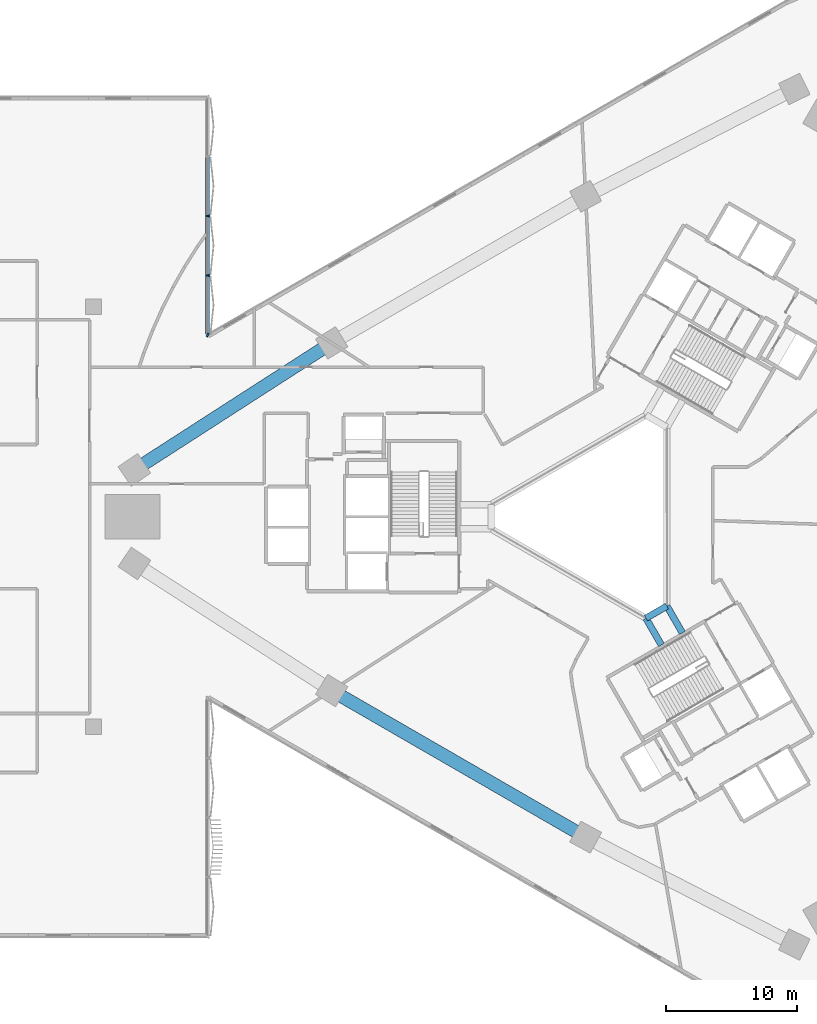
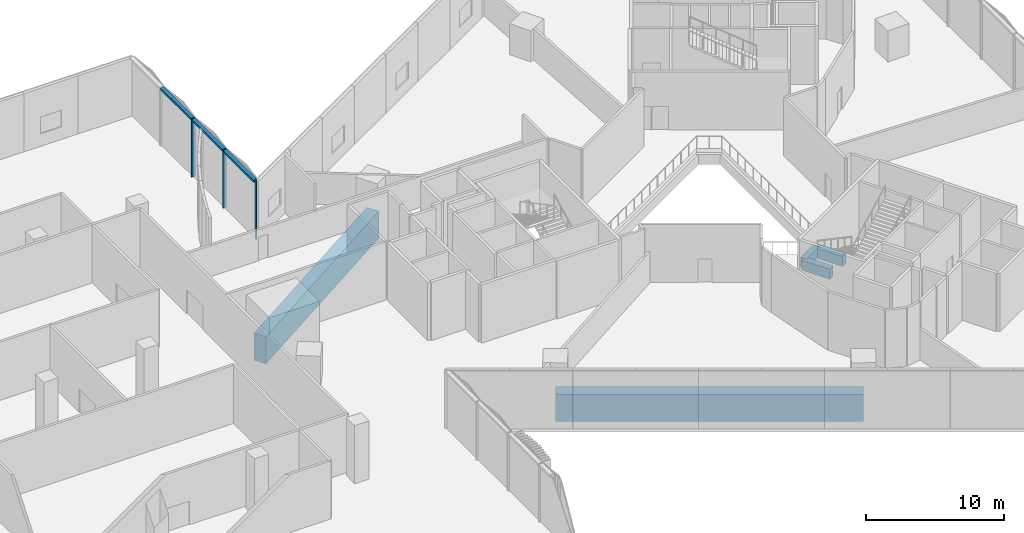
# One storey, part 5 of 31: 5 beams, 4 members, 1 element without a shape of its own.
"""IFC4 building model written with IfcOpenShell, lengths in metres."""

from ifc_helpers import new_model, si_unit, direction, frame, origin, origin_2d, place, context, subcontext, project, spatial, rectangle, extrude, material, material_profile, profile_set, type_object, element, aggregate, save


model = new_model("IFC4")

# Units and contexts
model_context = context("Model", 3, precision=1e-05, world=origin(), true_north=direction((0.0, 1.0)))
body_context = subcontext(model_context, "Body", "Model", "MODEL_VIEW")
ifc_project = project(units=[si_unit("LENGTHUNIT", "METRE"), si_unit("AREAUNIT", "SQUARE_METRE"), si_unit("VOLUMEUNIT", "CUBIC_METRE"), si_unit("PLANEANGLEUNIT", "RADIAN"), si_unit("MASSUNIT", "GRAM", prefix="KILO")], contexts=[model_context])

# Site, building, storey
site_placement = place(None, origin())
site = spatial("IfcSite", under=ifc_project, at=site_placement, CompositionType="ELEMENT")
building_placement = place(site_placement, origin())
building = spatial("IfcBuilding", under=site, at=building_placement, Name="Tamra Quay Hotel Tower", CompositionType="ELEMENT")
storey_placement = place(building_placement, frame((0.0, 0.0, 14.0)))
storey = spatial("IfcBuildingStorey", under=building, at=storey_placement, Name="L02", CompositionType="ELEMENT", Elevation=14.0)

# Beams
ifc_material_1 = material(Name="Concrete M60", Category="concrete")
ifc_material_profile_1 = material_profile(ifc_material_1, rectangle(XDim=0.5, YDim=0.89990234375, at=origin_2d()), Name="ATRIUM EDGE BEAM RC 500x900")
ifc_profile_set_1 = profile_set([ifc_material_profile_1], Name="Concrete M60")
beam_type_1 = type_object("IfcBeamType", Name="ATRIUM EDGE BEAM RC 500x900", PredefinedType="BEAM", material=ifc_profile_set_1)
beam_1_placement = place(storey_placement, frame((5.0, -6.812744140625, -0.800048828125), z_axis=(-0.86602275259, -0.500004591975, 0.0), x_axis=(0.500004591975, -0.86602275259, 0.0)))
element("IfcBeam", 1, at=beam_1_placement, inside=storey, type_object=beam_type_1, Name="BM-AB1-L02", PredefinedType="BEAM", context=body_context, shape_type="SweptSolid", body=[
    extrude(rectangle(XDim=0.5, YDim=0.89990234375, at=origin_2d()), origin(), (0.0, 0.0, 1.0), 1.84765625),
])
ifc_material_profile_2 = material_profile(ifc_material_1, rectangle(XDim=0.5, YDim=0.89990234375, at=origin_2d()), Name="ATRIUM TIE BEAM RC 500x900")
ifc_profile_set_2 = profile_set([ifc_material_profile_2], Name="Concrete M60")
beam_type_2 = type_object("IfcBeamType", Name="ATRIUM TIE BEAM RC 500x900", PredefinedType="BEAM", material=ifc_profile_set_2)
for number, where, z_axis, x_axis, name in (
    (2, (5.0, -6.812744140625, -0.800048828125), (0.500029618126, -0.866008303076, 0.0), (0.866008303076, 0.500029618126, 0.0), "BM-TIE-1-L02"),
    (3, (3.39990234375, -7.736572265625, -0.800048828125), (0.500029618126, -0.866008303076, 0.0), (0.866008303076, 0.500029618126, 0.0), "BM-TIE-2-L02"),
):
    element("IfcBeam", number, at=place(storey_placement, frame(where, z_axis=z_axis, x_axis=x_axis)), inside=storey, type_object=beam_type_2, Name=name, PredefinedType="BEAM", context=body_context, shape_type="SweptSolid", body=[
        extrude(rectangle(XDim=0.5, YDim=0.89990234375, at=origin_2d()), origin(), (0.0, 0.0, 1.0), 2.362060546875),
    ])

# Curtain wall, members
ifc_material_2 = material(Name="Aluminium 6063 anodised dark grey", Category="aluminium")
curtain_wall_type = type_object("IfcCurtainWallType", Name="CW4 CURTAIN WALL", PredefinedType="NOTDEFINED", material=ifc_material_2)
curtain_wall_placement = place(storey_placement, origin())
curtain_wall = element("IfcCurtainWall", 4, at=curtain_wall_placement, inside=storey, type_object=curtain_wall_type, Name="CW4 east face L02", PredefinedType="NOTDEFINED")
ifc_material_profile_3 = material_profile(ifc_material_2, rectangle(XDim=0.300048828125, YDim=0.1201171875, at=origin_2d()), Name="MULLION 120X300")
ifc_profile_set_3 = profile_set([ifc_material_profile_3], Name="Aluminium 6063 anodised dark grey")
member_type_1 = type_object("IfcMemberType", Name="MULLION CW4", PredefinedType="MULLION", material=ifc_profile_set_3)
member_1_placement = place(storey_placement, frame((-30.0, 13.8564453125, 0.0), z_axis=(0.0, 0.0, 1.0), x_axis=(0.500164184883, 0.865930590845, 0.0)))
member_1 = element("IfcMember", 5, at=member_1_placement, type_object=member_type_1, Name="CW4 mullion L02.E.18", PredefinedType="MULLION", context=body_context, shape_type="SweptSolid", body=[
    extrude(rectangle(XDim=0.300048828125, YDim=0.1201171875, at=origin_2d()), origin(), (0.0, 0.0, 1.0), 5.14990234375),
])
member_2_placement = place(storey_placement, frame((-30.0, 18.392333984375, 0.0), z_axis=(0.0, 0.0, 1.0), x_axis=(1.0, 0.0, 0.0)))
member_2 = element("IfcMember", 6, at=member_2_placement, type_object=member_type_1, Name="CW4 mullion L02.E.19", PredefinedType="MULLION", context=body_context, shape_type="SweptSolid", body=[
    extrude(rectangle(XDim=0.300048828125, YDim=0.1201171875, at=origin_2d()), origin(), (0.0, 0.0, 1.0), 5.14990234375),
])
member_3_placement = place(storey_placement, frame((-30.0, 22.92822265625, 0.0), z_axis=(0.0, 0.0, 1.0), x_axis=(1.0, 0.0, 0.0)))
member_3 = element("IfcMember", 7, at=member_3_placement, type_object=member_type_1, Name="CW4 mullion L02.E.20", PredefinedType="MULLION", context=body_context, shape_type="SweptSolid", body=[
    extrude(rectangle(XDim=0.300048828125, YDim=0.1201171875, at=origin_2d()), origin(), (0.0, 0.0, 1.0), 5.14990234375),
])

# Beams
ifc_material_profile_4 = material_profile(ifc_material_1, rectangle(XDim=1.0, YDim=2.39990234375, at=origin_2d()), Name="PODIUM RING GIRDER RC 1000x2400")
ifc_profile_set_4 = profile_set([ifc_material_profile_4], Name="Concrete M60")
beam_type_3 = type_object("IfcBeamType", Name="PODIUM RING GIRDER RC 1000x2400", PredefinedType="BEAM", material=ifc_profile_set_4)
beam_2_placement = place(storey_placement, frame((-20.552001953125, 13.248046875, -1.550048828125), z_axis=(-0.840663037387, -0.541558544915, 0.0), x_axis=(0.541558544915, -0.840663037387, 0.0)))
element("IfcBeam", 8, at=beam_2_placement, inside=storey, type_object=beam_type_3, Name="BM-PG006-L02", PredefinedType="BEAM", context=body_context, shape_type="SweptSolid", body=[
    extrude(rectangle(XDim=1.0, YDim=2.39990234375, at=origin_2d()), origin(), (0.0, 0.0, 1.0), 17.880615234375),
])
beam_3_placement = place(storey_placement, frame((-20.552001953125, -13.248046875, -1.550048828125), z_axis=(0.866023498866, -0.500003299401, 0.0), x_axis=(0.500003299401, 0.866023498866, 0.0)))
element("IfcBeam", 9, at=beam_3_placement, inside=storey, type_object=beam_type_3, Name="BM-PG008-L02", PredefinedType="BEAM", context=body_context, shape_type="SweptSolid", body=[
    extrude(rectangle(XDim=1.0, YDim=2.39990234375, at=origin_2d()), origin(), (0.0, 0.0, 1.0), 22.348876953125),
])

# Member
ifc_material_profile_5 = material_profile(ifc_material_2, rectangle(XDim=0.300048828125, YDim=0.179931640625, at=origin_2d()), Name="TRANSOM 300X180")
ifc_profile_set_5 = profile_set([ifc_material_profile_5], Name="Aluminium 6063 anodised dark grey")
member_type_2 = type_object("IfcMemberType", Name="TRANSOM CW4", PredefinedType="USERDEFINED", material=ifc_profile_set_5)
member_4_placement = place(storey_placement, frame((-30.0, 13.91650390625, 5.06005859375), z_axis=(0.0, 1.0, 0.0), x_axis=(-1.0, 0.0, 0.0)))
member_4 = element("IfcMember", 10, at=member_4_placement, type_object=member_type_2, Name="CW4 transom L02.E.18", ObjectType="TRANSOM", PredefinedType="USERDEFINED", context=body_context, shape_type="SweptSolid", body=[
    extrude(rectangle(XDim=0.300048828125, YDim=0.179931640625, at=origin_2d()), origin(), (0.0, 0.0, 1.0), 13.487548828125),
])

aggregate(curtain_wall, [member_1, member_4, member_2, member_3])

save(model, "model.ifc")
